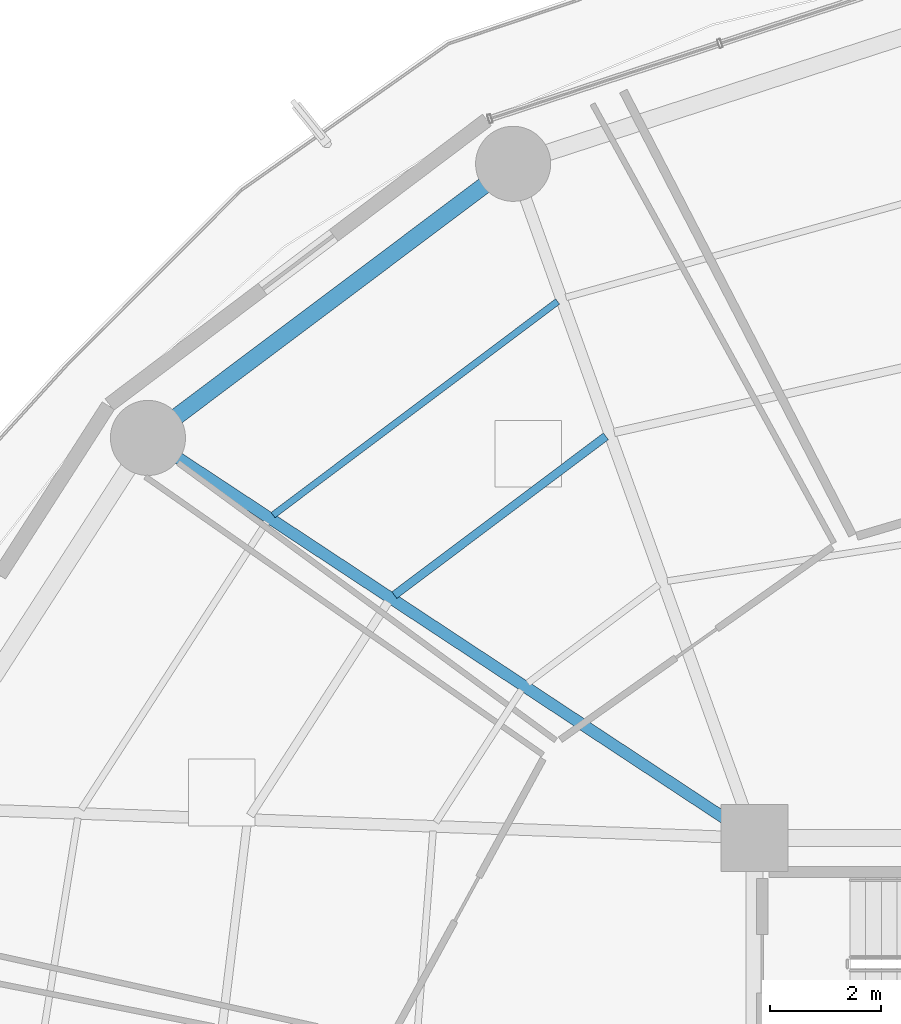
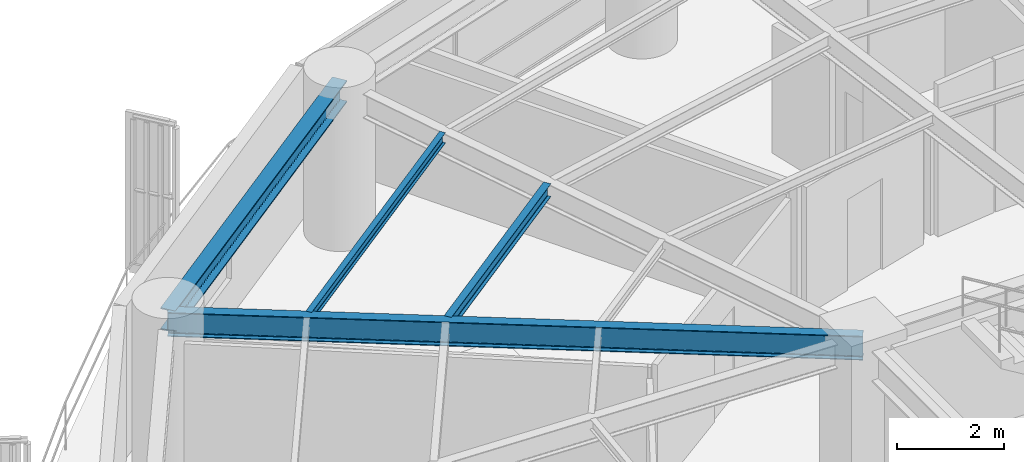
# One storey, part 19 of 35: 4 beams.
"""IFC4 building model written with IfcOpenShell, lengths in metres."""

from ifc_helpers import new_model, si_unit, direction, frame, origin, origin_2d, place, context, subcontext, project, spatial, i_section, extrude, material, material_profile, profile_set, type_object, element, save


model = new_model("IFC4")

# Units and contexts
model_context = context("Model", 3, precision=1e-05, world=origin(), true_north=direction((0.0, 1.0)))
body_context = subcontext(model_context, "Body", "Model", "MODEL_VIEW")
ifc_project = project(units=[si_unit("LENGTHUNIT", "METRE"), si_unit("AREAUNIT", "SQUARE_METRE"), si_unit("VOLUMEUNIT", "CUBIC_METRE"), si_unit("PLANEANGLEUNIT", "RADIAN"), si_unit("MASSUNIT", "GRAM", prefix="KILO")], contexts=[model_context])

# Site, building, storey
site_placement = place(None, origin())
site = spatial("IfcSite", under=ifc_project, at=site_placement, CompositionType="ELEMENT")
building_placement = place(site_placement, origin())
building = spatial("IfcBuilding", under=site, at=building_placement, Name="Kelanora Arch Commons", CompositionType="ELEMENT")
storey_placement = place(building_placement, frame((0.0, 0.0, 117.60009765625)))
storey = spatial("IfcBuildingStorey", under=building, at=storey_placement, Name="L30", CompositionType="ELEMENT", Elevation=117.60009765625)

# Beams
ifc_material = material(Name="Steel S355", Category="steel")
ifc_material_profile_1 = material_profile(ifc_material, i_section(OverallWidth=0.14990234375, OverallDepth=0.300048828125, WebThickness=0.007080078125, FlangeThickness=0.0107421875, FilletRadius=0.014892578125, at=origin_2d()), Name="IPE300")
ifc_profile_set_1 = profile_set([ifc_material_profile_1], Name="Steel S355")
beam_type_1 = type_object("IfcBeamType", Name="BM-JST-01", PredefinedType="JOIST", material=ifc_profile_set_1)
beam_1_placement = place(storey_placement, frame((63.327880859375, 72.22216796875, 3.33984375), z_axis=(-0.79971039107, -0.600385951214, 0.0), x_axis=(0.600385951214, -0.79971039107, 0.0)))
element("IfcBeam", 1, at=beam_1_placement, inside=storey, type_object=beam_type_1, Name="Secondary Chord Joist BJB-12 L30", PredefinedType="JOIST", context=body_context, shape_type="SweptSolid", body=[
    extrude(i_section(OverallWidth=0.14990234375, OverallDepth=0.300048828125, WebThickness=0.007080078125, FlangeThickness=0.0107421875, FilletRadius=0.014892578125, at=origin_2d()), origin(), (0.0, 0.0, 1.0), 4.756103515625),
])
ifc_material_profile_2 = material_profile(ifc_material, i_section(OverallWidth=0.1201171875, OverallDepth=0.239990234375, WebThickness=0.006103515625, FlangeThickness=0.009765625, FilletRadius=0.014892578125, at=origin_2d()), Name="IPE240")
ifc_profile_set_2 = profile_set([ifc_material_profile_2], Name="Steel S355")
beam_type_2 = type_object("IfcBeamType", Name="BM-JST-02", PredefinedType="JOIST", material=ifc_profile_set_2)
beam_2_placement = place(storey_placement, frame((62.4599609375, 74.646484375, 3.369873046875), z_axis=(-0.799734335646, -0.600354055861, 0.0), x_axis=(0.600354055861, -0.799734335646, 0.0)))
element("IfcBeam", 2, at=beam_2_placement, inside=storey, type_object=beam_type_2, Name="Secondary Chord Joist BJC-12 L30", PredefinedType="JOIST", context=body_context, shape_type="SweptSolid", body=[
    extrude(i_section(OverallWidth=0.1201171875, OverallDepth=0.239990234375, WebThickness=0.006103515625, FlangeThickness=0.009765625, FilletRadius=0.014892578125, at=origin_2d()), origin(), (0.0, 0.0, 1.0), 6.39794921875),
])
ifc_material_profile_3 = material_profile(ifc_material, i_section(OverallWidth=0.2099609375, OverallDepth=0.550048828125, WebThickness=0.010986328125, FlangeThickness=0.01708984375, FilletRadius=0.02392578125, at=origin_2d()), Name="IPE550")
ifc_profile_set_3 = profile_set([ifc_material_profile_3], Name="Steel S355")
beam_type_3 = type_object("IfcBeamType", Name="BM-RAD-Z2", PredefinedType="BEAM", material=ifc_profile_set_3)
beam_3_placement = place(storey_placement, frame((66.0, 65.0, 3.21484375), z_axis=(-0.834788577908, 0.550570640512, 0.0), x_axis=(-0.550570640512, -0.834788577908, 0.0)))
element("IfcBeam", 3, at=beam_3_placement, inside=storey, type_object=beam_type_3, Name="Radial Floor Girder BR-14 L30", PredefinedType="BEAM", context=body_context, shape_type="SweptSolid", body=[
    extrude(i_section(OverallWidth=0.2099609375, OverallDepth=0.550048828125, WebThickness=0.010986328125, FlangeThickness=0.01708984375, FilletRadius=0.02392578125, at=origin_2d()), origin(), (0.0, 0.0, 1.0), 13.064453125),
])
ifc_material_profile_4 = material_profile(ifc_material, i_section(OverallWidth=0.300048828125, OverallDepth=0.5, WebThickness=0.014404296875, FlangeThickness=0.028076171875, FilletRadius=0.027099609375, at=origin_2d()), Name="HEB500")
ifc_profile_set_4 = profile_set([ifc_material_profile_4], Name="Steel S355")
beam_type_4 = type_object("IfcBeamType", Name="BM-SPN-Z2", PredefinedType="SPANDREL", material=ifc_profile_set_4)
beam_4_placement = place(storey_placement, frame((61.659912109375, 77.121826171875, 3.239990234375), z_axis=(-0.799735861602, -0.600352023123, 0.0), x_axis=(0.600352023123, -0.799735861602, 0.0)))
element("IfcBeam", 4, at=beam_4_placement, inside=storey, type_object=beam_type_4, Name="Perimeter Spandrel Beam BS-12 L30", PredefinedType="SPANDREL", context=body_context, shape_type="SweptSolid", body=[
    extrude(i_section(OverallWidth=0.300048828125, OverallDepth=0.5, WebThickness=0.014404296875, FlangeThickness=0.028076171875, FilletRadius=0.027099609375, at=origin_2d()), origin(), (0.0, 0.0, 1.0), 8.210205078125),
])

save(model, "model.ifc")
